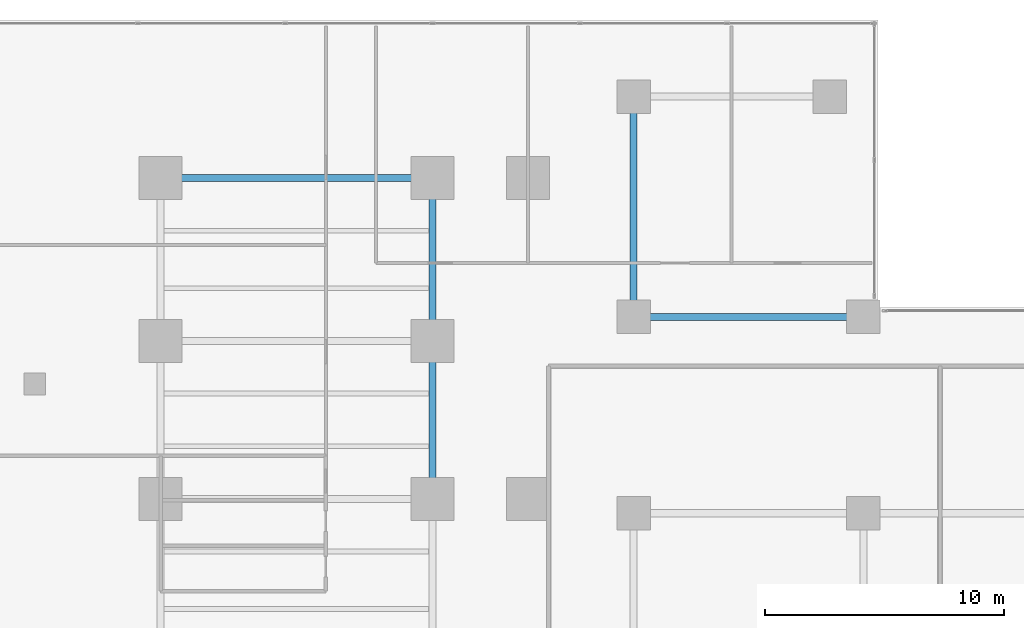
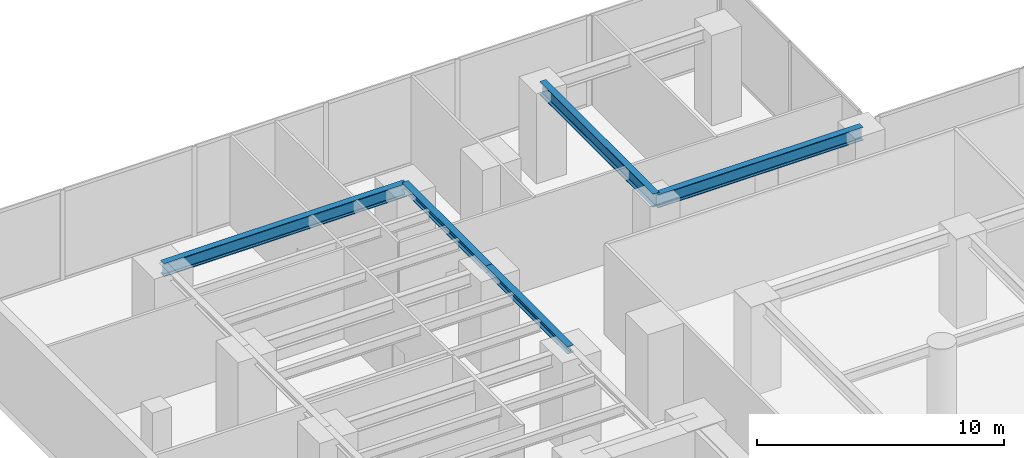
# One storey, part 2 of 16: 5 beams.
"""IFC4 building model written with IfcOpenShell, lengths in metres."""

from ifc_helpers import new_model, si_unit, direction, frame, origin, origin_2d, place, context, subcontext, project, spatial, i_section, extrude, material, material_profile, profile_set, type_object, element, save


model = new_model("IFC4")

# Units and contexts
model_context = context("Model", 3, precision=1e-05, world=origin(), true_north=direction((0.0, 1.0)))
body_context = subcontext(model_context, "Body", "Model", "MODEL_VIEW")
ifc_project = project(units=[si_unit("LENGTHUNIT", "METRE"), si_unit("AREAUNIT", "SQUARE_METRE"), si_unit("VOLUMEUNIT", "CUBIC_METRE"), si_unit("PLANEANGLEUNIT", "RADIAN"), si_unit("MASSUNIT", "GRAM", prefix="KILO")], contexts=[model_context])

# Site, building, storey
site_placement = place(None, origin())
site = spatial("IfcSite", under=ifc_project, at=site_placement, CompositionType="ELEMENT")
building_placement = place(site_placement, origin())
building = spatial("IfcBuilding", under=site, at=building_placement, Name="Kolvaren Waterfront Exchange", CompositionType="ELEMENT")
storey_placement = place(building_placement, frame((0.0, 0.0, 15.199951171875)))
storey = spatial("IfcBuildingStorey", under=building, at=storey_placement, Name="L04", CompositionType="ELEMENT", Elevation=15.199951171875)

# Beams
ifc_material = material(Name="Steel S355", Category="steel")
ifc_material_profile_1 = material_profile(ifc_material, i_section(OverallWidth=0.300048828125, OverallDepth=0.360107421875, WebThickness=0.012451171875, FlangeThickness=0.0224609375, FilletRadius=0.027099609375, at=origin_2d()), Name="HEB360")
ifc_profile_set_1 = profile_set([ifc_material_profile_1], Name="Steel S355")
beam_type_1 = type_object("IfcBeamType", Name="STR-BM-HEB360", PredefinedType="SPANDREL", material=ifc_profile_set_1)
beam_1_placement = place(storey_placement, frame((18.800048828125, 31.199951171875, 4.280029296875), z_axis=(0.0, 1.0, 0.0), x_axis=(-1.0, 0.0, 0.0)))
element("IfcBeam", 1, at=beam_1_placement, inside=storey, type_object=beam_type_1, Name="L04 north-arm edge beam 2", PredefinedType="SPANDREL", context=body_context, shape_type="SweptSolid", body=[
    extrude(i_section(OverallWidth=0.300048828125, OverallDepth=0.360107421875, WebThickness=0.012451171875, FlangeThickness=0.0224609375, FilletRadius=0.027099609375, at=origin_2d()), origin(), (0.0, 0.0, 1.0), 6.60009765625),
])
beam_2_placement = place(storey_placement, frame((18.800048828125, 37.800048828125, 4.280029296875), z_axis=(0.0, 1.0, 0.0), x_axis=(-1.0, 0.0, 0.0)))
element("IfcBeam", 2, at=beam_2_placement, inside=storey, type_object=beam_type_1, Name="L04 north-arm edge beam 3", PredefinedType="SPANDREL", context=body_context, shape_type="SweptSolid", body=[
    extrude(i_section(OverallWidth=0.300048828125, OverallDepth=0.360107421875, WebThickness=0.012451171875, FlangeThickness=0.0224609375, FilletRadius=0.027099609375, at=origin_2d()), origin(), (0.0, 0.0, 1.0), 6.800048828125),
])
ifc_material_profile_2 = material_profile(ifc_material, i_section(OverallWidth=0.300048828125, OverallDepth=0.64990234375, WebThickness=0.01611328125, FlangeThickness=0.031005859375, FilletRadius=0.027099609375, at=origin_2d()), Name="HEB650")
ifc_profile_set_2 = profile_set([ifc_material_profile_2], Name="Steel S355")
beam_type_2 = type_object("IfcBeamType", Name="STR-BM-HEB650", PredefinedType="BEAM", material=ifc_profile_set_2)
beam_3_placement = place(storey_placement, frame((7.449951171875, 44.60009765625, 4.135009765625), z_axis=(1.0, 0.0, 0.0), x_axis=(0.0, 1.0, 0.0)))
element("IfcBeam", 3, at=beam_3_placement, inside=storey, type_object=beam_type_2, Name="L04 north-arm girder 4", PredefinedType="BEAM", context=body_context, shape_type="SweptSolid", body=[
    extrude(i_section(OverallWidth=0.300048828125, OverallDepth=0.64990234375, WebThickness=0.01611328125, FlangeThickness=0.031005859375, FilletRadius=0.027099609375, at=origin_2d()), origin(), (0.0, 0.0, 1.0), 11.35009765625),
])
beam_4_placement = place(storey_placement, frame((27.199951171875, 38.800048828125, 4.135009765625), z_axis=(1.0, 0.0, 0.0), x_axis=(0.0, 1.0, 0.0)))
element("IfcBeam", 4, at=beam_4_placement, inside=storey, type_object=beam_type_2, Name="L04 podium north girder 1", PredefinedType="BEAM", context=body_context, shape_type="SweptSolid", body=[
    extrude(i_section(OverallWidth=0.300048828125, OverallDepth=0.64990234375, WebThickness=0.01611328125, FlangeThickness=0.031005859375, FilletRadius=0.027099609375, at=origin_2d()), origin(), (0.0, 0.0, 1.0), 9.60009765625),
])
beam_5_placement = place(storey_placement, frame((27.199951171875, 38.800048828125, 4.135009765625), z_axis=(0.0, 1.0, 0.0), x_axis=(-1.0, 0.0, 0.0)))
element("IfcBeam", 5, at=beam_5_placement, inside=storey, type_object=beam_type_2, Name="L04 podium west-link girder", PredefinedType="BEAM", context=body_context, shape_type="SweptSolid", body=[
    extrude(i_section(OverallWidth=0.300048828125, OverallDepth=0.64990234375, WebThickness=0.01611328125, FlangeThickness=0.031005859375, FilletRadius=0.027099609375, at=origin_2d()), origin(), (0.0, 0.0, 1.0), 9.199951171875),
])

save(model, "model.ifc")
